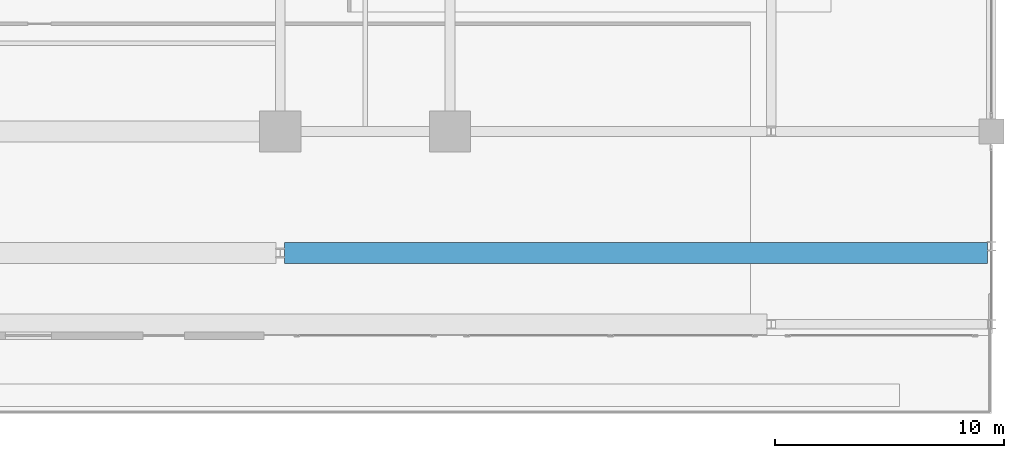
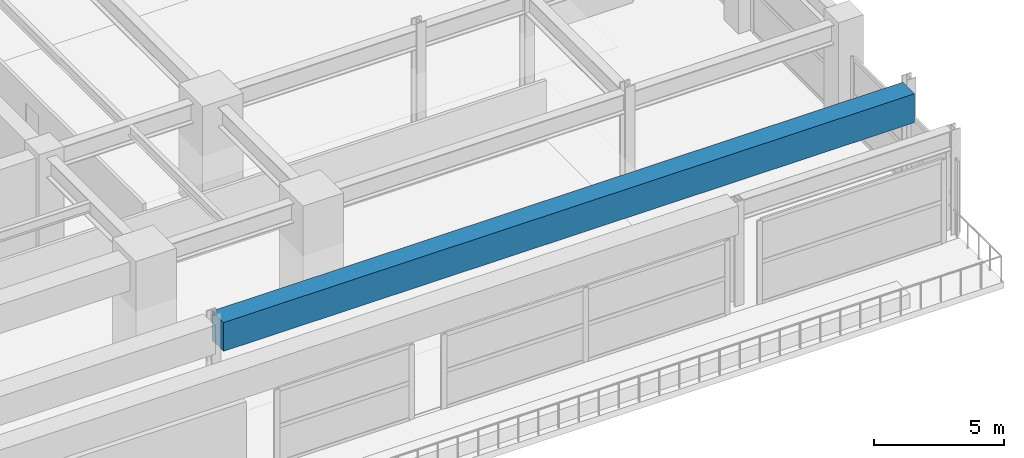
# One storey, part 24 of 45: 1 beam.
"""IFC4 building model written with IfcOpenShell, lengths in metres."""

import ifcopenshell
import ifcopenshell.guid

model = None  # the IFC model being written
_history = None  # IfcOwnerHistory: only IFC2X3 demands one
_inside = {}  # id of a spatial element -> (the spatial element, [elements in it])
_under = {}  # id of a project, library or spatial element -> (it, [spatial elements below it])
_declared = {}  # id of a project -> (the project, [libraries it declares])
_typed = {}  # id of a type object -> (the type object, [elements of that type])
_made_of = {}  # id of a material, layer set ... -> (it, [elements and type objects made of it])


def new_model(schema):
    """Start an empty IFC model of exactly this schema.

    Asked for "IFC4X3", IfcOpenShell would pick the latest addendum, in which some entities
    have other attributes; the version numbers below select the first issue.
    IFC2X3 requires an IfcOwnerHistory on every rooted entity: one is made here for all.
    """
    global model, _history
    if schema == "IFC4X3":
        model = ifcopenshell.file(schema_version=(4, 3, 0, 0))
    else:
        model = ifcopenshell.file(schema=schema)
    _inside.clear()
    _under.clear()
    _declared.clear()
    _typed.clear()
    _made_of.clear()
    _history = None
    if model.schema == "IFC2X3":
        org = make("IfcOrganization", Name="unknown")
        user = make(
            "IfcPersonAndOrganization",
            ThePerson=make("IfcPerson", FamilyName="unknown"),
            TheOrganization=org,
        )
        app = make(
            "IfcApplication",
            ApplicationDeveloper=org,
            Version="unknown",
            ApplicationFullName="unknown",
            ApplicationIdentifier="unknown",
        )
        _history = make(
            "IfcOwnerHistory",
            OwningUser=user,
            OwningApplication=app,
            ChangeAction="ADDED",
            CreationDate=0,
        )
    return model


def make(cls, **values):
    """One entity of the class cls with the attributes given. An attribute that is None is left unset."""
    return model.create_entity(
        cls, **{name: value for name, value in values.items() if value is not None}
    )


def rooted(cls, **values):
    """An entity with a GlobalId (a new one), such as an element, a storey or a relation."""
    return make(cls, GlobalId=ifcopenshell.guid.new(), OwnerHistory=_history, **values)


def si_unit(unit_type, name, prefix=None):
    """IfcSIUnit, for example si_unit("LENGTHUNIT", "METRE", prefix="MILLI")."""
    return make("IfcSIUnit", UnitType=unit_type, Prefix=prefix, Name=name)


def assignment(units):
    """IfcUnitAssignment: the units of a project."""
    return None if units is None else make("IfcUnitAssignment", Units=units)


def point(xyz):
    """IfcCartesianPoint."""
    return None if xyz is None else make("IfcCartesianPoint", Coordinates=xyz)


def direction(xyz):
    """IfcDirection."""
    return None if xyz is None else make("IfcDirection", DirectionRatios=xyz)


def frame(location, z_axis=None, x_axis=None):
    """IfcAxis2Placement3D, a coordinate frame: its origin and axes. An axis left out is left unset."""
    return make(
        "IfcAxis2Placement3D",
        Location=point(location),
        Axis=direction(z_axis),
        RefDirection=direction(x_axis),
    )


def frame_2d(location, x_axis=None):
    """IfcAxis2Placement2D, a coordinate frame in the plane: its origin and x axis."""
    return make(
        "IfcAxis2Placement2D", Location=point(location), RefDirection=direction(x_axis)
    )


def origin():
    """The frame at (0, 0, 0) with its axes left unset."""
    return frame((0.0, 0.0, 0.0))


def origin_2d():
    """The frame at (0, 0) in the plane with its x axis left unset."""
    return frame_2d((0.0, 0.0))


def place(relative_to, where):
    """IfcLocalPlacement: puts the frame where relative to a parent placement (None: the world)."""
    return make(
        "IfcLocalPlacement", PlacementRelTo=relative_to, RelativePlacement=where
    )


def context(
    kind, dimensions, precision=None, world=None, true_north=None, identifier=None
):
    """IfcGeometricRepresentationContext, for example the 3D "Model" context."""
    return make(
        "IfcGeometricRepresentationContext",
        ContextIdentifier=identifier,
        ContextType=kind,
        CoordinateSpaceDimension=dimensions,
        Precision=precision,
        WorldCoordinateSystem=world,
        TrueNorth=true_north,
    )


def subcontext(parent, identifier, kind, view, scale=None):
    """IfcGeometricRepresentationSubContext, for example "Body" below "Model"."""
    return make(
        "IfcGeometricRepresentationSubContext",
        ContextIdentifier=identifier,
        ContextType=kind,
        ParentContext=parent,
        TargetScale=scale,
        TargetView=view,
    )


def project(units=None, contexts=None):
    """IfcProject with its units and contexts."""
    return rooted(
        "IfcProject",
        Name="project",
        RepresentationContexts=contexts,
        UnitsInContext=assignment(units),
    )


def spatial(cls, under=None, at=None, **own):
    """A site, building, storey or space (cls), placed at a placement, below another one or the project."""
    s = rooted(cls, ObjectPlacement=at, **own)
    if under is not None:
        _under.setdefault(under.id(), (under, []))[1].append(s)
    return s


def profile(cls, at=None, kind="AREA", **sizes):
    """A parametric profile (cls). Its sizes go by their IFC names, for example OverallWidth=200.0."""
    return make(cls, ProfileType=kind, Position=at, **sizes)


def rectangle(**sizes):
    """IfcRectangleProfileDef."""
    return profile("IfcRectangleProfileDef", **sizes)


def extrude(swept, where, along, depth):
    """IfcExtrudedAreaSolid: the profile swept, set in the frame where, extruded along a direction by depth."""
    return make(
        "IfcExtrudedAreaSolid",
        SweptArea=swept,
        Position=where,
        ExtrudedDirection=direction(along),
        Depth=depth,
    )


def shape(context_of_items, identifier, shape_type, items):
    """IfcShapeRepresentation: the items that make up one representation, for example the "Body"."""
    return make(
        "IfcShapeRepresentation",
        ContextOfItems=context_of_items,
        RepresentationIdentifier=identifier,
        RepresentationType=shape_type,
        Items=items,
    )


def material(Name=None, Category=None):
    """IfcMaterial."""
    return make("IfcMaterial", Name=Name, Category=Category)


def material_profile(
    of_material, cross_section, Name=None, Category=None, Priority=None
):
    """IfcMaterialProfile: a cross section and its material."""
    return make(
        "IfcMaterialProfile",
        Name=Name,
        Material=of_material,
        Profile=cross_section,
        Priority=Priority,
        Category=Category,
    )


def profile_set(profiles, Name=None, composite=None):
    """IfcMaterialProfileSet."""
    return make(
        "IfcMaterialProfileSet",
        Name=Name,
        MaterialProfiles=profiles,
        CompositeProfile=composite,
    )


def made_of(thing, what):
    """Note that an element or type object is made of a material, layer set ...; save() writes the relation."""
    if what is not None:
        _made_of.setdefault(what.id(), (what, []))[1].append(thing)
    return thing


def type_object(cls, material=None, **own):
    """A type object (cls), such as IfcWallType, which elements share."""
    return made_of(rooted(cls, **own), material)


def element(
    cls,
    number,
    at=None,
    inside=None,
    cuts=None,
    type_object=None,
    material=None,
    context=None,
    identifier="Body",
    shape_type=None,
    held_by="IfcProductDefinitionShape",
    body=None,
    shapes=None,
    **own,
):
    """One element of the class cls, such as IfcWall. Its Tag is "e" and its number.

    at: its placement. inside: the storey or other place that contains it. cuts: it is an
    opening in that element (IfcRelVoidsElement). A single representation is given by context,
    identifier, shape_type and body (its items); several are given by shapes. held_by: the class
    of the entity that holds the representations. save() writes the other relations.
    """
    e = rooted(cls, Tag="e%d" % number, ObjectPlacement=at, **own)
    if body is not None:
        shapes = [shape(context, identifier, shape_type, body)]
    if shapes is not None:
        e.Representation = make(held_by, Representations=shapes)
    if inside is not None:
        _inside.setdefault(inside.id(), (inside, []))[1].append(e)
    if cuts is not None:
        rooted(
            "IfcRelVoidsElement", RelatingBuildingElement=cuts, RelatedOpeningElement=e
        )
    if type_object is not None:
        _typed.setdefault(type_object.id(), (type_object, []))[1].append(e)
    return made_of(e, material)


def aggregate(whole, parts):
    """IfcRelAggregates: a whole, such as a stair, and the parts it consists of."""
    return rooted("IfcRelAggregates", RelatingObject=whole, RelatedObjects=parts)


def save(model, path):
    """Write the relations noted so far, then the file.

    IfcRelAggregates (storeys below a building ...), IfcRelContainedInSpatialStructure (elements
    in a storey), IfcRelDefinesByType, IfcRelAssociatesMaterial and IfcRelDeclares: one each for
    every whole, place, type object, material and project.
    """
    for whole, parts in _under.values():
        aggregate(whole, parts)
    for where, things in _inside.values():
        rooted(
            "IfcRelContainedInSpatialStructure",
            RelatedElements=things,
            RelatingStructure=where,
        )
    for kind, things in _typed.values():
        rooted("IfcRelDefinesByType", RelatedObjects=things, RelatingType=kind)
    for what, things in _made_of.values():
        rooted("IfcRelAssociatesMaterial", RelatedObjects=things, RelatingMaterial=what)
    for by, libraries in _declared.values():
        rooted("IfcRelDeclares", RelatingContext=by, RelatedDefinitions=libraries)
    model.write(path)


model = new_model("IFC4")

# Units and contexts
model_context = context("Model", 3, precision=1e-05, world=origin(), true_north=direction((0.0, 1.0)))
body_context = subcontext(model_context, "Body", "Model", "MODEL_VIEW")
ifc_project = project(units=[si_unit("LENGTHUNIT", "METRE"), si_unit("AREAUNIT", "SQUARE_METRE"), si_unit("VOLUMEUNIT", "CUBIC_METRE"), si_unit("PLANEANGLEUNIT", "RADIAN"), si_unit("MASSUNIT", "GRAM", prefix="KILO")], contexts=[model_context])

# Site, building, storey
site_placement = place(None, origin())
site = spatial("IfcSite", under=ifc_project, at=site_placement, CompositionType="ELEMENT")
building_placement = place(site_placement, origin())
building = spatial("IfcBuilding", under=site, at=building_placement, Name="Kovane Verandah Tower", CompositionType="ELEMENT")
storey_placement = place(building_placement, frame((0.0, 0.0, 6.0)))
storey = spatial("IfcBuildingStorey", under=building, at=storey_placement, Name="L01", CompositionType="ELEMENT", Elevation=6.0)

# Beam
ifc_material = material(Name="Concrete C80/95", Category="concrete")
ifc_material_profile = material_profile(ifc_material, rectangle(XDim=0.89990234375, YDim=1.35009765625, at=origin_2d()), Name="RCB900x1350")
ifc_profile_set = profile_set([ifc_material_profile], Name="Concrete C80/95")
beam_type = type_object("IfcBeamType", Name="BM-TR-900x1350", PredefinedType="BEAM", material=ifc_profile_set)
beam_placement = place(storey_placement, frame((51.179931640625, 5.5, 4.22509765625), z_axis=(1.0, 0.0, 0.0), x_axis=(0.0, 1.0, 0.0)))
element("IfcBeam", 1, at=beam_placement, inside=storey, type_object=beam_type, Name="L01 South Terrace Girder S2-3", PredefinedType="BEAM", context=body_context, shape_type="SweptSolid", body=[
    extrude(rectangle(XDim=0.89990234375, YDim=1.35009765625, at=origin_2d()), origin(), (0.0, 0.0, 1.0), 30.64013671875),
])

save(model, "model.ifc")
